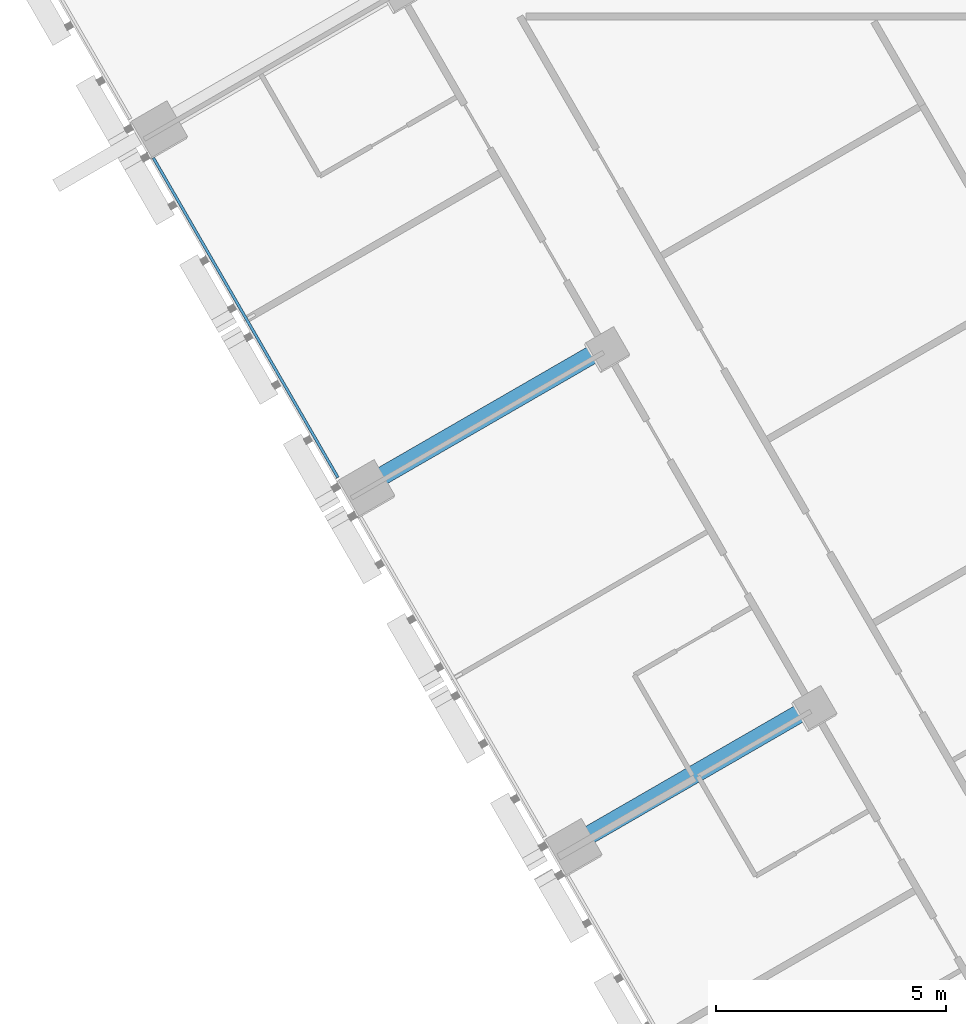
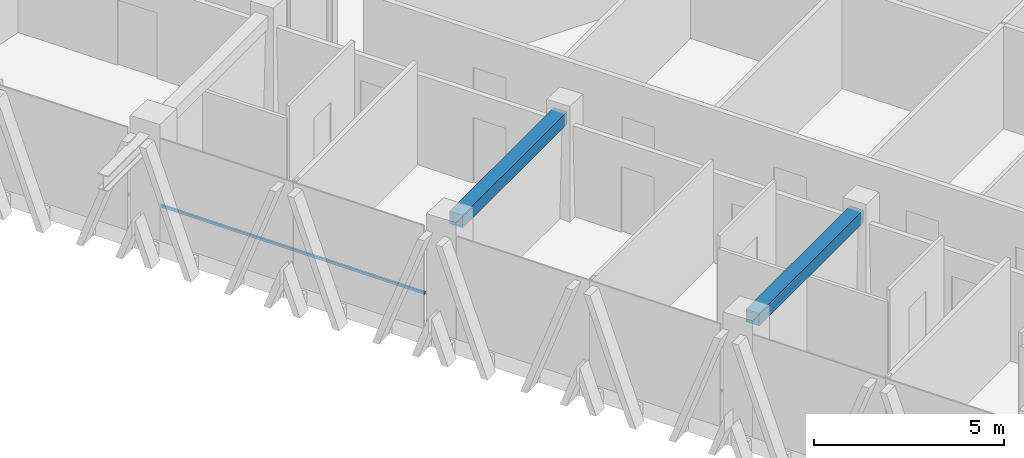
# One storey, part 3 of 15: 2 beams, 1 member, 1 element without a shape of its own.
"""IFC4 building model written with IfcOpenShell, lengths in metres."""

from ifc_helpers import new_model, si_unit, direction, frame, origin, origin_2d, place, context, subcontext, project, spatial, rectangle, extrude, material, layer, layer_set, material_profile, profile_set, type_object, element, aggregate, save


model = new_model("IFC4")

# Units and contexts
model_context = context("Model", 3, precision=1e-05, world=origin(), true_north=direction((0.0, 1.0)))
body_context = subcontext(model_context, "Body", "Model", "MODEL_VIEW")
ifc_project = project(units=[si_unit("LENGTHUNIT", "METRE"), si_unit("AREAUNIT", "SQUARE_METRE"), si_unit("VOLUMEUNIT", "CUBIC_METRE"), si_unit("PLANEANGLEUNIT", "RADIAN"), si_unit("MASSUNIT", "GRAM", prefix="KILO")], contexts=[model_context])

# Site, building, storey
site_placement = place(None, origin())
site = spatial("IfcSite", under=ifc_project, at=site_placement, CompositionType="ELEMENT")
building_placement = place(site_placement, origin())
building = spatial("IfcBuilding", under=site, at=building_placement, Name="Altiplano Prism Tower", CompositionType="ELEMENT")
storey_placement = place(building_placement, frame((0.0, 0.0, 91.800048828125)))
storey = spatial("IfcBuildingStorey", under=building, at=storey_placement, Name="L23", CompositionType="ELEMENT", Elevation=91.800048828125)

# Curtain wall, member
ifc_material_1 = material(Name="Aluminium and glass", Category="aluminium")
ifc_layer = layer(ifc_material_1, 0.280029296875)
ifc_layer_set = layer_set([ifc_layer], Name="Aluminium and glass")
curtain_wall_type = type_object("IfcCurtainWallType", Name="CW1 typical co-living unitised curtain wall", PredefinedType="NOTDEFINED", material=ifc_layer_set)
curtain_wall_placement = place(storey_placement, origin())
curtain_wall = element("IfcCurtainWall", 1, at=curtain_wall_placement, inside=storey, type_object=curtain_wall_type, Name="CW1 curtain wall south-west face L23", PredefinedType="NOTDEFINED")
ifc_material_2 = material(Name="Aluminium", Category="aluminium")
ifc_material_profile_1 = material_profile(ifc_material_2, rectangle(XDim=0.06005859375, YDim=0.080078125, at=origin_2d()), Name="CW1 transom 80 x 60")
ifc_profile_set_1 = profile_set([ifc_material_profile_1], Name="Aluminium")
member_type = type_object("IfcMemberType", Name="CW1 transom 80 x 60", PredefinedType="USERDEFINED", material=ifc_profile_set_1)
member_placement = place(storey_placement, frame((61.789306640625, 87.329833984375, 1.099853515625), z_axis=(0.499993018469, -0.866029434536, 0.0), x_axis=(0.866029434536, 0.499993018469, 0.0)))
member = element("IfcMember", 2, at=member_placement, type_object=member_type, Name="CW1 transom", ObjectType="TRANSOM", PredefinedType="USERDEFINED", context=body_context, shape_type="SweptSolid", body=[
    extrude(rectangle(XDim=0.06005859375, YDim=0.080078125, at=origin_2d()), origin(), (0.0, 0.0, 1.0), 8.01904296875),
])
aggregate(curtain_wall, [member])

# Beams
ifc_material_3 = material(Name="Concrete C60/75", Category="concrete")
ifc_material_profile_2 = material_profile(ifc_material_3, rectangle(XDim=0.39990234375, YDim=0.39990234375, at=origin_2d()), Name="Tie beam 400x400")
ifc_profile_set_2 = profile_set([ifc_material_profile_2], Name="Concrete C60/75")
beam_type = type_object("IfcBeamType", Name="Tie beam 400x400", PredefinedType="BEAM", material=ifc_profile_set_2)
for number, where, z_axis, x_axis, name in (
    (3, (71.51318359375, 83.16455078125, 3.099853515625), (-0.866012292785, -0.50002270823, 0.0), (0.50002270823, -0.866012292785, 0.0), "Tie beam I12 L24"),
    (4, (76.01318359375, 75.370361328125, 3.099853515625), (-0.866012292785, -0.50002270823, 0.0), (0.50002270823, -0.866012292785, 0.0), "Tie beam I13 L24"),
):
    element("IfcBeam", number, at=place(storey_placement, frame(where, z_axis=z_axis, x_axis=x_axis)), inside=storey, type_object=beam_type, Name=name, PredefinedType="BEAM", context=body_context, shape_type="SweptSolid", body=[
        extrude(rectangle(XDim=0.39990234375, YDim=0.39990234375, at=origin_2d()), origin(), (0.0, 0.0, 1.0), 5.489990234375),
    ])

save(model, "model.ifc")
